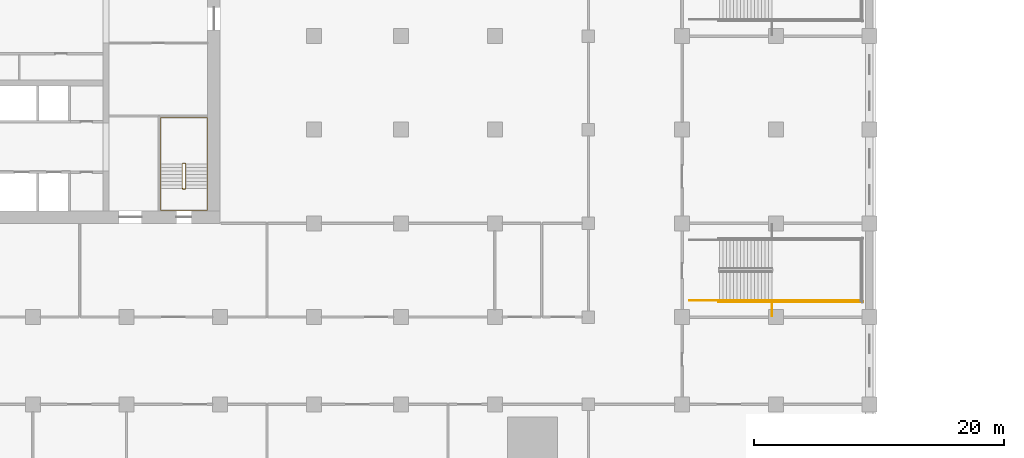
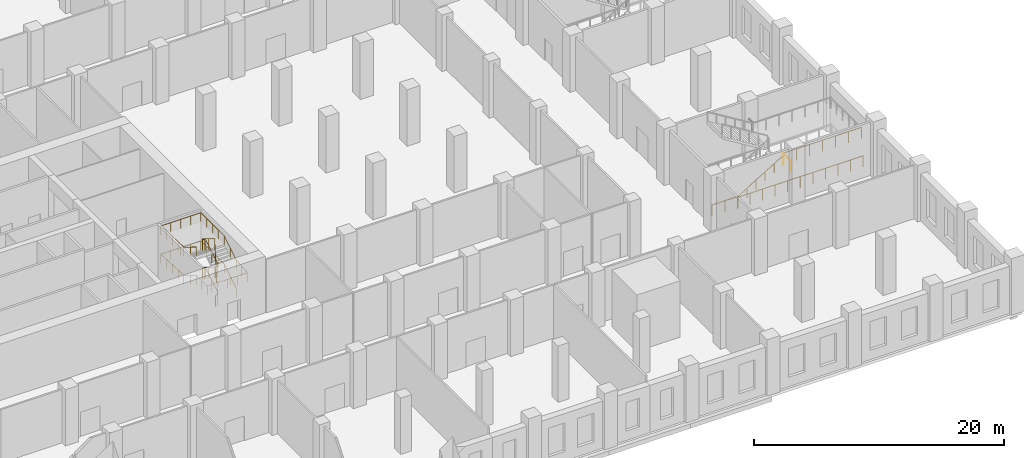
# One storey, part 26 of 35: 7 railings.
"""IFC4 building model written with IfcOpenShell, lengths in metres."""

from ifc_helpers import new_model, si_unit, direction, frame, origin, origin_2d, place, context, subcontext, project, spatial, circle, extrude, material, type_object, element, save


model = new_model("IFC4")

# Units and contexts
model_context = context("Model", 3, precision=1e-05, world=origin(), true_north=direction((0.0, 1.0)))
body_context = subcontext(model_context, "Body", "Model", "MODEL_VIEW")
ifc_project = project(units=[si_unit("LENGTHUNIT", "METRE"), si_unit("AREAUNIT", "SQUARE_METRE"), si_unit("VOLUMEUNIT", "CUBIC_METRE"), si_unit("PLANEANGLEUNIT", "RADIAN"), si_unit("MASSUNIT", "GRAM", prefix="KILO")], contexts=[model_context])

# Site, building, storey
site_placement = place(None, origin())
site = spatial("IfcSite", under=ifc_project, at=site_placement, CompositionType="ELEMENT")
building_placement = place(site_placement, origin())
building = spatial("IfcBuilding", under=site, at=building_placement, Name="Tamorin Gate", CompositionType="ELEMENT")
storey_placement = place(building_placement, frame((0.0, 0.0, 8.0)))
storey = spatial("IfcBuildingStorey", under=building, at=storey_placement, Name="L01", CompositionType="ELEMENT", Elevation=8.0)

# Railings
ifc_material_1 = material(Name="Steel", Category="steel")
railing_type_1 = type_object("IfcRailingType", Name="Podium guard 1100", PredefinedType="GUARDRAIL", material=ifc_material_1)
railing_1_placement = place(storey_placement, frame((104.199951171875, 53.824951171875, 2.75)))
element("IfcRailing", 1, at=railing_1_placement, inside=storey, type_object=railing_type_1, Name="L01 PS3 stair guard 3", PredefinedType="GUARDRAIL", context=body_context, shape_type="SweptSolid", body=[
    extrude(circle(Radius=0.02392578125, at=origin_2d()), frame((0.0, 0.0, 1.076171875), z_axis=(1.0, 0.0, 0.0), x_axis=(0.0, 1.0, 0.0)), (0.0, 0.0, 1.0), 7.199951171875),
    extrude(circle(Radius=0.02099609375, at=origin_2d()), origin(), (0.0, 0.0, 1.0), 1.052001953125),
    extrude(circle(Radius=0.02099609375, at=origin_2d()), frame((1.199951171875, 0.0, 0.0)), (0.0, 0.0, 1.0), 1.052001953125),
    extrude(circle(Radius=0.02099609375, at=origin_2d()), frame((2.39990234375, 0.0, 0.0)), (0.0, 0.0, 1.0), 1.052001953125),
    extrude(circle(Radius=0.02099609375, at=origin_2d()), frame((3.60009765625, 0.0, 0.0)), (0.0, 0.0, 1.0), 1.052001953125),
    extrude(circle(Radius=0.02099609375, at=origin_2d()), frame((4.800048828125, 0.0, 0.0)), (0.0, 0.0, 1.0), 1.052001953125),
    extrude(circle(Radius=0.02099609375, at=origin_2d()), frame((6.0, 0.0, 0.0)), (0.0, 0.0, 1.0), 1.052001953125),
    extrude(circle(Radius=0.02099609375, at=origin_2d()), frame((7.199951171875, 0.0, 0.0)), (0.0, 0.0, 1.0), 1.052001953125),
])
railing_2_placement = place(storey_placement, frame((97.60009765625, 53.824951171875, 0.0)))
element("IfcRailing", 2, at=railing_2_placement, inside=storey, type_object=railing_type_1, Name="L01 PS3 stair guard 8", PredefinedType="GUARDRAIL", context=body_context, shape_type="SweptSolid", body=[
    extrude(circle(Radius=0.02392578125, at=origin_2d()), frame((0.0, 0.0, 1.076171875), z_axis=(1.0, 0.0, 0.0), x_axis=(0.0, 1.0, 0.0)), (0.0, 0.0, 1.0), 2.39990234375),
    extrude(circle(Radius=0.02099609375, at=origin_2d()), origin(), (0.0, 0.0, 1.0), 1.052001953125),
    extrude(circle(Radius=0.02099609375, at=origin_2d()), frame((1.199951171875, 0.0, 0.0)), (0.0, 0.0, 1.0), 1.052001953125),
    extrude(circle(Radius=0.02099609375, at=origin_2d()), frame((2.39990234375, 0.0, 0.0)), (0.0, 0.0, 1.0), 1.052001953125),
])
railing_3_placement = place(storey_placement, frame((99.89990234375, 53.72509765625, 0.0)))
element("IfcRailing", 3, at=railing_3_placement, inside=storey, type_object=railing_type_1, Name="L01 PS3 stair guard 10", PredefinedType="GUARDRAIL", context=body_context, shape_type="SweptSolid", body=[
    extrude(circle(Radius=0.02392578125, at=origin_2d()), frame((0.0, 0.0, 1.076171875), z_axis=(1.0, 0.0, 0.0), x_axis=(0.0, 1.0, 0.0)), (0.0, 0.0, 1.0), 11.60009765625),
    extrude(circle(Radius=0.02099609375, at=origin_2d()), origin(), (0.0, 0.0, 1.0), 1.052001953125),
    extrude(circle(Radius=0.02099609375, at=origin_2d()), frame((1.159912109375, 0.0, 0.0)), (0.0, 0.0, 1.0), 1.052001953125),
    extrude(circle(Radius=0.02099609375, at=origin_2d()), frame((2.320068359375, 0.0, 0.0)), (0.0, 0.0, 1.0), 1.052001953125),
    extrude(circle(Radius=0.02099609375, at=origin_2d()), frame((3.47998046875, 0.0, 0.0)), (0.0, 0.0, 1.0), 1.052001953125),
    extrude(circle(Radius=0.02099609375, at=origin_2d()), frame((4.64013671875, 0.0, 0.0)), (0.0, 0.0, 1.0), 1.052001953125),
    extrude(circle(Radius=0.02099609375, at=origin_2d()), frame((5.800048828125, 0.0, 0.0)), (0.0, 0.0, 1.0), 1.052001953125),
    extrude(circle(Radius=0.02099609375, at=origin_2d()), frame((6.9599609375, 0.0, 0.0)), (0.0, 0.0, 1.0), 1.052001953125),
    extrude(circle(Radius=0.02099609375, at=origin_2d()), frame((8.1201171875, 0.0, 0.0)), (0.0, 0.0, 1.0), 1.052001953125),
    extrude(circle(Radius=0.02099609375, at=origin_2d()), frame((9.280029296875, 0.0, 0.0)), (0.0, 0.0, 1.0), 1.052001953125),
    extrude(circle(Radius=0.02099609375, at=origin_2d()), frame((10.440185546875, 0.0, 0.0)), (0.0, 0.0, 1.0), 1.052001953125),
    extrude(circle(Radius=0.02099609375, at=origin_2d()), frame((11.60009765625, 0.0, 0.0)), (0.0, 0.0, 1.0), 1.052001953125),
])
railing_4_placement = place(storey_placement, frame((104.199951171875, 52.60009765625, 2.75)))
element("IfcRailing", 4, at=railing_4_placement, inside=storey, type_object=railing_type_1, Name="Landing edge guard", PredefinedType="GUARDRAIL", context=body_context, shape_type="SweptSolid", body=[
    extrude(circle(Radius=0.02392578125, at=origin_2d()), frame((0.0, 0.0, 1.076171875), z_axis=(0.0, 1.0, 0.0), x_axis=(-1.0, 0.0, 0.0)), (0.0, 0.0, 1.0), 1.1748046875),
    extrude(circle(Radius=0.02099609375, at=origin_2d()), origin(), (0.0, 0.0, 1.0), 1.052001953125),
    extrude(circle(Radius=0.02099609375, at=origin_2d()), frame((0.0, 1.1748046875, 0.0)), (0.0, 0.0, 1.0), 1.052001953125),
])
railing_type_2 = type_object("IfcRailingType", Name="Podium stair handrail 900", PredefinedType="HANDRAIL", material=ifc_material_1)
railing_5_placement = place(storey_placement, frame((100.0, 53.824951171875, 0.171875)))
element("IfcRailing", 5, at=railing_5_placement, inside=storey, type_object=railing_type_2, Name="L01 PS3 stair handrail 1", PredefinedType="HANDRAIL", context=body_context, shape_type="SweptSolid", body=[
    extrude(circle(Radius=0.02392578125, at=origin_2d()), frame((0.0, 0.0, 0.8759765625), z_axis=(0.852242915053, 0.0, 0.523146264196), x_axis=(0.0, 1.0, 0.0)), (0.0, 0.0, 1.0), 4.92822265625),
    extrude(circle(Radius=0.02099609375, at=origin_2d()), origin(), (0.0, 0.0, 1.0), 0.851806640625),
    extrude(circle(Radius=0.02099609375, at=origin_2d()), frame((0.840087890625, 0.0, 0.515625)), (0.0, 0.0, 1.0), 0.851806640625),
    extrude(circle(Radius=0.02099609375, at=origin_2d()), frame((1.679931640625, 0.0, 1.03125)), (0.0, 0.0, 1.0), 0.851806640625),
    extrude(circle(Radius=0.02099609375, at=origin_2d()), frame((2.52001953125, 0.0, 1.546875)), (0.0, 0.0, 1.0), 0.851806640625),
    extrude(circle(Radius=0.02099609375, at=origin_2d()), frame((3.35986328125, 0.0, 2.0625)), (0.0, 0.0, 1.0), 0.851806640625),
    extrude(circle(Radius=0.02099609375, at=origin_2d()), frame((4.199951171875, 0.0, 2.578125)), (0.0, 0.0, 1.0), 0.851806640625),
])
ifc_material_2 = material(Name="Painted steel balustrade", Category="steel")
railing_type_3 = type_object("IfcRailingType", Name="Stair guard 1100", PredefinedType="GUARDRAIL", material=ifc_material_2)
railing_6_placement = place(storey_placement, frame((57.25, 62.800048828125, 0.171875)))
element("IfcRailing", 6, at=railing_6_placement, inside=storey, type_object=railing_type_3, Name="L01 ST3 stair guard 1", PredefinedType="GUARDRAIL", context=body_context, shape_type="SweptSolid", body=[
    extrude(circle(Radius=0.02392578125, at=origin_2d()), frame((0.0, 0.0, 1.076171875), z_axis=(0.0, 0.852240978134, 0.523149419562), x_axis=(-1.0, 0.0, 0.0)), (0.0, 0.0, 1.0), 2.2998046875),
    extrude(circle(Radius=0.02392578125, at=origin_2d()), frame((0.0, 1.9599609375, 2.279296875), z_axis=(-0.707106781187, 0.707106781187, 0.0), x_axis=(-0.707106781187, -0.707106781187, 0.0)), (0.0, 0.0, 1.0), 0.07080078125),
    extrude(circle(Radius=0.02392578125, at=origin_2d()), frame((-0.050048828125, 2.010009765625, 2.279296875), z_axis=(-1.0, 0.0, 0.0), x_axis=(0.0, -1.0, 0.0)), (0.0, 0.0, 1.0), 0.199951171875),
    extrude(circle(Radius=0.02392578125, at=origin_2d()), frame((-0.25, 2.010009765625, 2.279296875), z_axis=(-0.269255725606, -0.269255725606, 0.92466356501), x_axis=(0.707106781187, -0.707106781187, 0.0)), (0.0, 0.0, 1.0), 0.185791015625),
    extrude(circle(Radius=0.02392578125, at=origin_2d()), frame((-0.300048828125, 1.9599609375, 2.451171875), z_axis=(0.0, -0.852240978134, 0.523149419562), x_axis=(1.0, 0.0, 0.0)), (0.0, 0.0, 1.0), 2.2998046875),
    extrude(circle(Radius=0.02392578125, at=origin_2d()), frame((-0.300048828125, 0.0, 3.654296875), z_axis=(0.98054382908, -0.196300278283, 0.0), x_axis=(0.196300278283, 0.98054382908, 0.0)), (0.0, 0.0, 1.0), 0.2548828125),
    extrude(circle(Radius=0.02392578125, at=origin_2d()), frame((-0.050048828125, -0.050048828125, 3.654296875), z_axis=(-1.0, 0.0, 0.0), x_axis=(0.0, -1.0, 0.0)), (0.0, 0.0, 1.0), 0.199951171875),
    extrude(circle(Radius=0.02392578125, at=origin_2d()), frame((-0.25, -0.050048828125, 3.654296875), z_axis=(0.81305262559, 0.162769324459, 0.558973680093), x_axis=(-0.196300278283, 0.98054382908, 0.0)), (0.0, 0.0, 1.0), 0.307373046875),
    extrude(circle(Radius=0.02392578125, at=origin_2d()), frame((0.0, 0.0, 3.826171875), z_axis=(0.0, 0.852240978134, 0.523149419562), x_axis=(-1.0, 0.0, 0.0)), (0.0, 0.0, 1.0), 2.2998046875),
    extrude(circle(Radius=0.02392578125, at=origin_2d()), frame((0.0, 1.9599609375, 5.029296875), z_axis=(-0.707106781187, 0.707106781187, 0.0), x_axis=(-0.707106781187, -0.707106781187, 0.0)), (0.0, 0.0, 1.0), 0.07080078125),
    extrude(circle(Radius=0.02392578125, at=origin_2d()), frame((-0.050048828125, 2.010009765625, 5.029296875), z_axis=(-1.0, 0.0, 0.0), x_axis=(0.0, -1.0, 0.0)), (0.0, 0.0, 1.0), 0.199951171875),
    extrude(circle(Radius=0.02392578125, at=origin_2d()), frame((-0.25, 2.010009765625, 5.029296875), z_axis=(-0.269255725606, -0.269255725606, 0.92466356501), x_axis=(0.707106781187, -0.707106781187, 0.0)), (0.0, 0.0, 1.0), 0.185791015625),
    extrude(circle(Radius=0.02392578125, at=origin_2d()), frame((-0.300048828125, 1.9599609375, 5.201171875), z_axis=(0.0, -0.852240978134, 0.523149419562), x_axis=(1.0, 0.0, 0.0)), (0.0, 0.0, 1.0), 2.2998046875),
    extrude(circle(Radius=0.02392578125, at=origin_2d()), frame((-0.300048828125, 0.0, 6.404296875), z_axis=(0.045405784895, -0.009090025296, -0.998927267692), x_axis=(0.196300278283, 0.98054382908, 0.0)), (0.0, 0.0, 1.0), 5.505859375),
    extrude(circle(Radius=0.02392578125, at=origin_2d()), frame((-0.050048828125, -0.050048828125, 0.904296875), z_axis=(-1.0, 0.0, 0.0), x_axis=(0.0, -1.0, 0.0)), (0.0, 0.0, 1.0), 0.199951171875),
    extrude(circle(Radius=0.02099609375, at=origin_2d()), origin(), (0.0, 0.0, 1.0), 1.052001953125),
    extrude(circle(Radius=0.02099609375, at=origin_2d()), frame((0.0, 0.97998046875, 0.6015625)), (0.0, 0.0, 1.0), 1.052001953125),
    extrude(circle(Radius=0.02099609375, at=origin_2d()), frame((0.0, 1.9599609375, 1.203125)), (0.0, 0.0, 1.0), 1.052001953125),
    extrude(circle(Radius=0.02099609375, at=origin_2d()), frame((-0.050048828125, 2.010009765625, 1.203125)), (0.0, 0.0, 1.0), 1.052001953125),
    extrude(circle(Radius=0.02099609375, at=origin_2d()), frame((-0.25, 2.010009765625, 1.203125)), (0.0, 0.0, 1.0), 1.052001953125),
    extrude(circle(Radius=0.02099609375, at=origin_2d()), frame((-0.300048828125, 1.9599609375, 1.375)), (0.0, 0.0, 1.0), 1.052001953125),
    extrude(circle(Radius=0.02099609375, at=origin_2d()), frame((-0.300048828125, 0.97998046875, 1.9765625)), (0.0, 0.0, 1.0), 1.052001953125),
    extrude(circle(Radius=0.02099609375, at=origin_2d()), frame((-0.300048828125, 0.0, 2.578125)), (0.0, 0.0, 1.0), 1.052001953125),
    extrude(circle(Radius=0.02099609375, at=origin_2d()), frame((-0.050048828125, -0.050048828125, 2.578125)), (0.0, 0.0, 1.0), 1.052001953125),
    extrude(circle(Radius=0.02099609375, at=origin_2d()), frame((-0.25, -0.050048828125, 2.578125)), (0.0, 0.0, 1.0), 1.052001953125),
    extrude(circle(Radius=0.02099609375, at=origin_2d()), frame((0.0, 0.0, 2.75)), (0.0, 0.0, 1.0), 1.052001953125),
    extrude(circle(Radius=0.02099609375, at=origin_2d()), frame((0.0, 0.97998046875, 3.3515625)), (0.0, 0.0, 1.0), 1.052001953125),
    extrude(circle(Radius=0.02099609375, at=origin_2d()), frame((0.0, 1.9599609375, 3.953125)), (0.0, 0.0, 1.0), 1.052001953125),
    extrude(circle(Radius=0.02099609375, at=origin_2d()), frame((-0.050048828125, 2.010009765625, 3.953125)), (0.0, 0.0, 1.0), 1.052001953125),
    extrude(circle(Radius=0.02099609375, at=origin_2d()), frame((-0.25, 2.010009765625, 3.953125)), (0.0, 0.0, 1.0), 1.052001953125),
    extrude(circle(Radius=0.02099609375, at=origin_2d()), frame((-0.300048828125, 1.9599609375, 4.125)), (0.0, 0.0, 1.0), 1.052001953125),
    extrude(circle(Radius=0.02099609375, at=origin_2d()), frame((-0.300048828125, 0.97998046875, 4.7265625)), (0.0, 0.0, 1.0), 1.052001953125),
    extrude(circle(Radius=0.02099609375, at=origin_2d()), frame((-0.300048828125, 0.0, 5.328125)), (0.0, 0.0, 1.0), 1.052001953125),
    extrude(circle(Radius=0.02099609375, at=origin_2d()), frame((-0.25, -0.010009765625, 4.22802734375)), (0.0, 0.0, 1.0), 1.052001953125),
    extrude(circle(Radius=0.02099609375, at=origin_2d()), frame((-0.199951171875, -0.02001953125, 3.128173828125)), (0.0, 0.0, 1.0), 1.052001953125),
    extrude(circle(Radius=0.02099609375, at=origin_2d()), frame((-0.150146484375, -0.030029296875, 2.028076171875)), (0.0, 0.0, 1.0), 1.052001953125),
    extrude(circle(Radius=0.02099609375, at=origin_2d()), frame((-0.10009765625, -0.0400390625, 0.92822265625)), (0.0, 0.0, 1.0), 1.052001953125),
    extrude(circle(Radius=0.02099609375, at=origin_2d()), frame((-0.050048828125, -0.050048828125, -0.171875)), (0.0, 0.0, 1.0), 1.052001953125),
    extrude(circle(Radius=0.02099609375, at=origin_2d()), frame((-0.25, -0.050048828125, -0.171875)), (0.0, 0.0, 1.0), 1.052001953125),
])
ifc_material_3 = material(Name="Painted steel handrail", Category="steel")
railing_type_4 = type_object("IfcRailingType", Name="Stair handrail 900", PredefinedType="HANDRAIL", material=ifc_material_3)
railing_7_placement = place(storey_placement, frame((58.949951171875, 62.800048828125, 0.171875)))
element("IfcRailing", 7, at=railing_7_placement, inside=storey, type_object=railing_type_4, Name="L01 ST3 stair handrail 1", PredefinedType="HANDRAIL", context=body_context, shape_type="SweptSolid", body=[
    extrude(circle(Radius=0.02392578125, at=origin_2d()), frame((0.0, 0.0, 0.8759765625), z_axis=(0.0, 0.852240978134, 0.523149419562), x_axis=(-1.0, 0.0, 0.0)), (0.0, 0.0, 1.0), 2.2998046875),
    extrude(circle(Radius=0.02392578125, at=origin_2d()), frame((0.0, 1.9599609375, 2.0791015625), z_axis=(0.0, 1.0, 0.0), x_axis=(-1.0, 0.0, 0.0)), (0.0, 0.0, 1.0), 3.68994140625),
    extrude(circle(Radius=0.02392578125, at=origin_2d()), frame((0.0, 5.64990234375, 2.0791015625), z_axis=(-1.0, 0.0, 0.0), x_axis=(0.0, -1.0, 0.0)), (0.0, 0.0, 1.0), 3.699951171875),
    extrude(circle(Radius=0.02392578125, at=origin_2d()), frame((-3.699951171875, 5.64990234375, 2.0791015625), z_axis=(0.0, -0.998916945045, 0.046528882448), x_axis=(1.0, 0.0, 0.0)), (0.0, 0.0, 1.0), 3.69384765625),
    extrude(circle(Radius=0.02392578125, at=origin_2d()), frame((-3.699951171875, 1.9599609375, 2.2509765625), z_axis=(0.0, -0.852240978134, 0.523149419562), x_axis=(1.0, 0.0, 0.0)), (0.0, 0.0, 1.0), 2.2998046875),
    extrude(circle(Radius=0.02392578125, at=origin_2d()), frame((-3.699951171875, 0.0, 3.4541015625), z_axis=(0.0, -1.0, 0.0), x_axis=(1.0, 0.0, 0.0)), (0.0, 0.0, 1.0), 1.75),
    extrude(circle(Radius=0.02392578125, at=origin_2d()), frame((-3.699951171875, -1.75, 3.4541015625), z_axis=(1.0, 0.0, 0.0), x_axis=(0.0, 1.0, 0.0)), (0.0, 0.0, 1.0), 3.699951171875),
    extrude(circle(Radius=0.02392578125, at=origin_2d()), frame((0.0, -1.75, 3.4541015625), z_axis=(0.0, 0.995211591236, 0.097743995568), x_axis=(-1.0, 0.0, 0.0)), (0.0, 0.0, 1.0), 1.75830078125),
    extrude(circle(Radius=0.02392578125, at=origin_2d()), frame((0.0, 0.0, 3.6259765625), z_axis=(0.0, 0.852240978134, 0.523149419562), x_axis=(-1.0, 0.0, 0.0)), (0.0, 0.0, 1.0), 2.2998046875),
    extrude(circle(Radius=0.02392578125, at=origin_2d()), frame((0.0, 1.9599609375, 4.8291015625), z_axis=(0.0, 1.0, 0.0), x_axis=(-1.0, 0.0, 0.0)), (0.0, 0.0, 1.0), 3.68994140625),
    extrude(circle(Radius=0.02392578125, at=origin_2d()), frame((0.0, 5.64990234375, 4.8291015625), z_axis=(-1.0, 0.0, 0.0), x_axis=(0.0, -1.0, 0.0)), (0.0, 0.0, 1.0), 3.699951171875),
    extrude(circle(Radius=0.02392578125, at=origin_2d()), frame((-3.699951171875, 5.64990234375, 4.8291015625), z_axis=(0.0, -0.998916945045, 0.046528882448), x_axis=(1.0, 0.0, 0.0)), (0.0, 0.0, 1.0), 3.69384765625),
    extrude(circle(Radius=0.02392578125, at=origin_2d()), frame((-3.699951171875, 1.9599609375, 5.0009765625), z_axis=(0.0, -0.852240978134, 0.523149419562), x_axis=(1.0, 0.0, 0.0)), (0.0, 0.0, 1.0), 2.2998046875),
    extrude(circle(Radius=0.02099609375, at=origin_2d()), origin(), (0.0, 0.0, 1.0), 0.851806640625),
    extrude(circle(Radius=0.02099609375, at=origin_2d()), frame((0.0, 0.97998046875, 0.6015625)), (0.0, 0.0, 1.0), 0.851806640625),
    extrude(circle(Radius=0.02099609375, at=origin_2d()), frame((0.0, 1.9599609375, 1.203125)), (0.0, 0.0, 1.0), 0.851806640625),
    extrude(circle(Radius=0.02099609375, at=origin_2d()), frame((0.0, 2.88232421875, 1.203125)), (0.0, 0.0, 1.0), 0.851806640625),
    extrude(circle(Radius=0.02099609375, at=origin_2d()), frame((0.0, 3.804931640625, 1.203125)), (0.0, 0.0, 1.0), 0.851806640625),
    extrude(circle(Radius=0.02099609375, at=origin_2d()), frame((0.0, 4.7275390625, 1.203125)), (0.0, 0.0, 1.0), 0.851806640625),
    extrude(circle(Radius=0.02099609375, at=origin_2d()), frame((0.0, 5.64990234375, 1.203125)), (0.0, 0.0, 1.0), 0.851806640625),
    extrude(circle(Radius=0.02099609375, at=origin_2d()), frame((-0.925048828125, 5.64990234375, 1.203125)), (0.0, 0.0, 1.0), 0.851806640625),
    extrude(circle(Radius=0.02099609375, at=origin_2d()), frame((-1.85009765625, 5.64990234375, 1.203125)), (0.0, 0.0, 1.0), 0.851806640625),
    extrude(circle(Radius=0.02099609375, at=origin_2d()), frame((-2.77490234375, 5.64990234375, 1.203125)), (0.0, 0.0, 1.0), 0.851806640625),
    extrude(circle(Radius=0.02099609375, at=origin_2d()), frame((-3.699951171875, 5.64990234375, 1.203125)), (0.0, 0.0, 1.0), 0.851806640625),
    extrude(circle(Radius=0.02099609375, at=origin_2d()), frame((-3.699951171875, 4.7275390625, 1.24609375)), (0.0, 0.0, 1.0), 0.851806640625),
    extrude(circle(Radius=0.02099609375, at=origin_2d()), frame((-3.699951171875, 3.804931640625, 1.2890625)), (0.0, 0.0, 1.0), 0.851806640625),
    extrude(circle(Radius=0.02099609375, at=origin_2d()), frame((-3.699951171875, 2.88232421875, 1.33203125)), (0.0, 0.0, 1.0), 0.851806640625),
    extrude(circle(Radius=0.02099609375, at=origin_2d()), frame((-3.699951171875, 1.9599609375, 1.375)), (0.0, 0.0, 1.0), 0.851806640625),
    extrude(circle(Radius=0.02099609375, at=origin_2d()), frame((-3.699951171875, 0.97998046875, 1.9765625)), (0.0, 0.0, 1.0), 0.851806640625),
    extrude(circle(Radius=0.02099609375, at=origin_2d()), frame((-3.699951171875, 0.0, 2.578125)), (0.0, 0.0, 1.0), 0.851806640625),
    extrude(circle(Radius=0.02099609375, at=origin_2d()), frame((-3.699951171875, -0.875, 2.578125)), (0.0, 0.0, 1.0), 0.851806640625),
    extrude(circle(Radius=0.02099609375, at=origin_2d()), frame((-3.699951171875, -1.75, 2.578125)), (0.0, 0.0, 1.0), 0.851806640625),
    extrude(circle(Radius=0.02099609375, at=origin_2d()), frame((-2.77490234375, -1.75, 2.578125)), (0.0, 0.0, 1.0), 0.851806640625),
    extrude(circle(Radius=0.02099609375, at=origin_2d()), frame((-1.85009765625, -1.75, 2.578125)), (0.0, 0.0, 1.0), 0.851806640625),
    extrude(circle(Radius=0.02099609375, at=origin_2d()), frame((-0.925048828125, -1.75, 2.578125)), (0.0, 0.0, 1.0), 0.851806640625),
    extrude(circle(Radius=0.02099609375, at=origin_2d()), frame((0.0, -1.75, 2.578125)), (0.0, 0.0, 1.0), 0.851806640625),
    extrude(circle(Radius=0.02099609375, at=origin_2d()), frame((0.0, -0.875, 2.6640625)), (0.0, 0.0, 1.0), 0.851806640625),
    extrude(circle(Radius=0.02099609375, at=origin_2d()), frame((0.0, 0.0, 2.75)), (0.0, 0.0, 1.0), 0.851806640625),
    extrude(circle(Radius=0.02099609375, at=origin_2d()), frame((0.0, 0.97998046875, 3.3515625)), (0.0, 0.0, 1.0), 0.851806640625),
    extrude(circle(Radius=0.02099609375, at=origin_2d()), frame((0.0, 1.9599609375, 3.953125)), (0.0, 0.0, 1.0), 0.851806640625),
    extrude(circle(Radius=0.02099609375, at=origin_2d()), frame((0.0, 2.88232421875, 3.953125)), (0.0, 0.0, 1.0), 0.851806640625),
    extrude(circle(Radius=0.02099609375, at=origin_2d()), frame((0.0, 3.804931640625, 3.953125)), (0.0, 0.0, 1.0), 0.851806640625),
    extrude(circle(Radius=0.02099609375, at=origin_2d()), frame((0.0, 4.7275390625, 3.953125)), (0.0, 0.0, 1.0), 0.851806640625),
    extrude(circle(Radius=0.02099609375, at=origin_2d()), frame((0.0, 5.64990234375, 3.953125)), (0.0, 0.0, 1.0), 0.851806640625),
    extrude(circle(Radius=0.02099609375, at=origin_2d()), frame((-0.925048828125, 5.64990234375, 3.953125)), (0.0, 0.0, 1.0), 0.851806640625),
    extrude(circle(Radius=0.02099609375, at=origin_2d()), frame((-1.85009765625, 5.64990234375, 3.953125)), (0.0, 0.0, 1.0), 0.851806640625),
    extrude(circle(Radius=0.02099609375, at=origin_2d()), frame((-2.77490234375, 5.64990234375, 3.953125)), (0.0, 0.0, 1.0), 0.851806640625),
    extrude(circle(Radius=0.02099609375, at=origin_2d()), frame((-3.699951171875, 5.64990234375, 3.953125)), (0.0, 0.0, 1.0), 0.851806640625),
    extrude(circle(Radius=0.02099609375, at=origin_2d()), frame((-3.699951171875, 4.7275390625, 3.99609375)), (0.0, 0.0, 1.0), 0.851806640625),
    extrude(circle(Radius=0.02099609375, at=origin_2d()), frame((-3.699951171875, 3.804931640625, 4.0390625)), (0.0, 0.0, 1.0), 0.851806640625),
    extrude(circle(Radius=0.02099609375, at=origin_2d()), frame((-3.699951171875, 2.88232421875, 4.08203125)), (0.0, 0.0, 1.0), 0.851806640625),
    extrude(circle(Radius=0.02099609375, at=origin_2d()), frame((-3.699951171875, 1.9599609375, 4.125)), (0.0, 0.0, 1.0), 0.851806640625),
    extrude(circle(Radius=0.02099609375, at=origin_2d()), frame((-3.699951171875, 0.97998046875, 4.7265625)), (0.0, 0.0, 1.0), 0.851806640625),
    extrude(circle(Radius=0.02099609375, at=origin_2d()), frame((-3.699951171875, 0.0, 5.328125)), (0.0, 0.0, 1.0), 0.851806640625),
])

save(model, "model.ifc")
